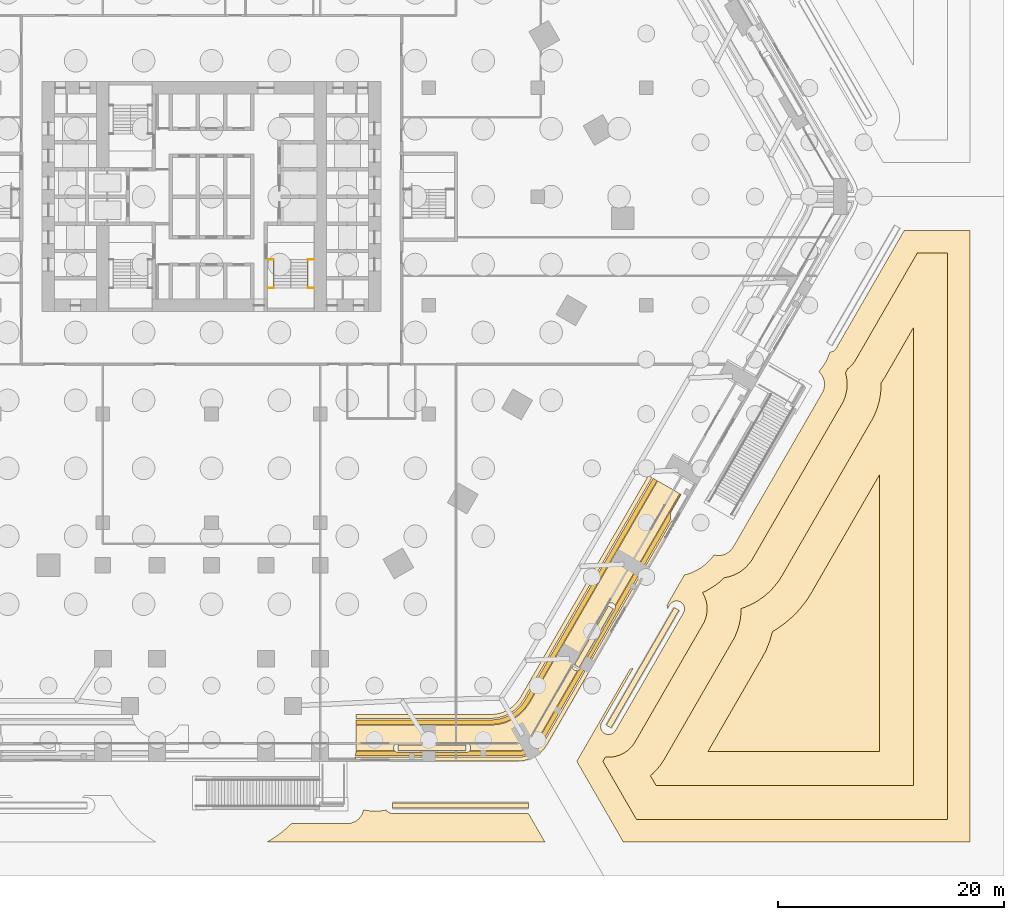
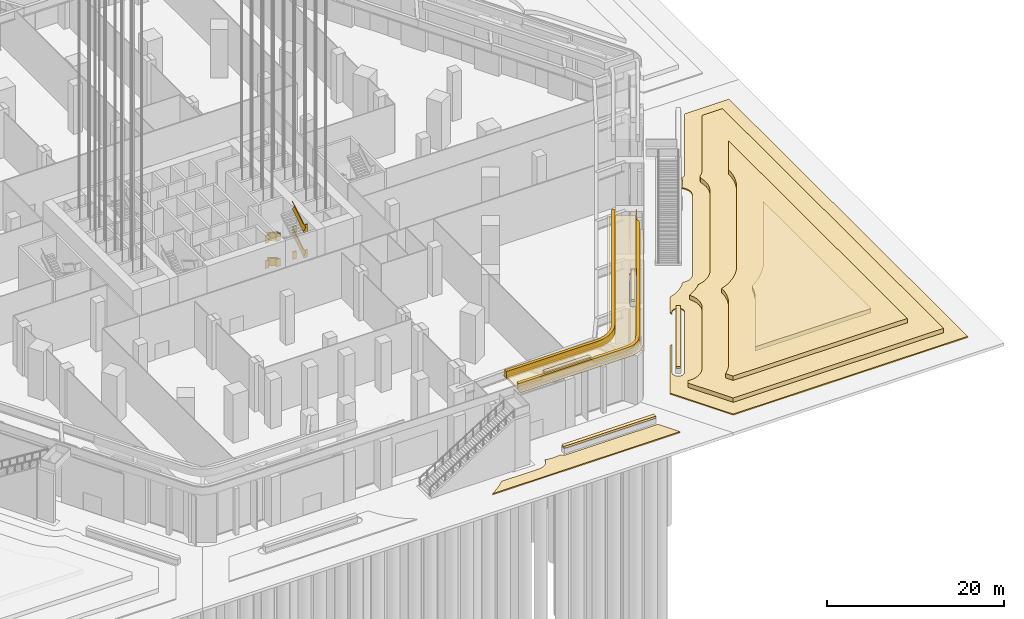
# One storey, part 64 of 68: 14 coverings, 2 railings.
"""IFC4 building model written with IfcOpenShell, lengths in metres."""

from ifc_helpers import new_model, si_unit, direction, frame, frame_2d, origin, origin_2d, place, context, subcontext, project, spatial, polyline, rectangle, outline, extrude, material, layer, layer_set, type_object, element, save


model = new_model("IFC4")

# Units and contexts
model_context = context("Model", 3, precision=1e-05, world=origin(), true_north=direction((0.0, 1.0)))
body_context = subcontext(model_context, "Body", "Model", "MODEL_VIEW")
ifc_project = project(units=[si_unit("LENGTHUNIT", "METRE"), si_unit("AREAUNIT", "SQUARE_METRE"), si_unit("VOLUMEUNIT", "CUBIC_METRE"), si_unit("PLANEANGLEUNIT", "RADIAN"), si_unit("MASSUNIT", "GRAM", prefix="KILO")], contexts=[model_context])

# Site, building, storey
site_placement = place(None, origin())
site = spatial("IfcSite", under=ifc_project, at=site_placement, CompositionType="ELEMENT")
building_placement = place(site_placement, origin())
building = spatial("IfcBuilding", under=site, at=building_placement, Name="Kolab Exchange Tower", CompositionType="ELEMENT")
storey_placement = place(building_placement, origin())
storey = spatial("IfcBuildingStorey", under=building, at=storey_placement, Name="L00", CompositionType="ELEMENT", Elevation=0.0)

# Coverings
ifc_material_1 = material(Name="Planting soil and turf", Category="soil")
ifc_layer_1 = layer(ifc_material_1, 0.60009765625)
ifc_layer_set_1 = layer_set([ifc_layer_1], Name="Planting soil and turf")
covering_type_1 = type_object("IfcCoveringType", Name="GARDEN TERRACE STEP SOIL AND TURF 600", PredefinedType="USERDEFINED", material=ifc_layer_set_1)
covering_1_placement = place(storey_placement, frame((0.0, 0.0, 0.14990234375)))
element("IfcCovering", 1, at=covering_1_placement, inside=storey, type_object=covering_type_1, Name="Garden terrace step", ObjectType="PLANTING", PredefinedType="USERDEFINED", context=body_context, shape_type="SweptSolid", body=[
    extrude(outline(polyline([(34.79736328125, -49.495361328125), (34.989013671875, -49.510986328125), (35.254150390625, -49.5068359375), (35.517822265625, -49.476318359375), (35.77685546875, -49.42041015625), (36.029541015625, -49.33935546875), (36.272705078125, -49.23388671875), (36.504638671875, -49.10498046875), (36.72265625, -48.9541015625), (36.9248046875, -48.782470703125), (37.109375, -48.592041015625), (37.274169921875, -48.38427734375), (37.39111328125, -48.20263671875), (43.4404296875, -37.725341796875), (43.5390625, -37.533203125), (43.636474609375, -37.286376953125), (43.709228515625, -37.031494140625), (43.7568359375, -36.7705078125), (43.778564453125, -36.50634765625), (43.774169921875, -36.240966796875), (43.743896484375, -35.9775390625), (43.687744140625, -35.71826171875), (43.606689453125, -35.4658203125), (43.501220703125, -35.22265625), (43.372314453125, -34.99072265625), (43.3642578125, -34.97900390625), (43.778564453125, -34.782958984375), (44.325927734375, -34.455078125), (44.83837890625, -34.074951171875), (45.296142578125, -33.66015625), (45.354736328125, -33.6533203125), (45.690673828125, -33.580810546875), (46.017822265625, -33.475830078125), (46.333251953125, -33.339111328125), (46.633544921875, -33.172119140625), (46.916259765625, -32.976318359375), (47.17822265625, -32.754150390625), (47.417236328125, -32.507080078125), (47.631103515625, -32.23779296875), (47.79052734375, -31.990234375), (49.01513671875, -29.869384765625), (54.343505859375, -20.640380859375), (54.343505859375, -20.640380859375), (55.69970703125, -18.291259765625), (55.834228515625, -18.029296875), (55.960693359375, -17.709716796875), (56.054931640625, -17.379150390625), (56.116455078125, -17.041015625), (56.14453125, -16.698486328125), (56.138916015625, -16.354736328125), (56.099853515625, -16.013427734375), (56.027099609375, -15.677490234375), (55.994384765625, -15.575439453125), (56.048095703125, -15.486083984375), (56.1787109375, -15.20947265625), (56.22265625, -15.17919921875), (56.4248046875, -15.007568359375), (56.609375, -14.81689453125), (56.774169921875, -14.609130859375), (56.89111328125, -14.427734375), (62.334228515625, -5.0), (65.0, -5.0), (65.0, -55.0), (37.52783203125, -55.0), (34.573486328125, -49.883056640625), (34.79736328125, -49.495361328125)])), origin(), (0.0, 0.0, 1.0), 0.60009765625),
])
covering_2_placement = place(storey_placement, frame((0.0, 0.0, 0.75)))
element("IfcCovering", 2, at=covering_2_placement, inside=storey, type_object=covering_type_1, Name="Garden terrace step", ObjectType="PLANTING", PredefinedType="USERDEFINED", context=body_context, shape_type="SweptSolid", body=[
    extrude(outline(polyline([(38.769775390625, -51.1513671875), (38.97802734375, -50.974853515625), (39.367431640625, -50.572265625), (39.715576171875, -50.1337890625), (39.952392578125, -49.766357421875), (46.0751953125, -39.16162109375), (46.27490234375, -38.772705078125), (46.480712890625, -38.251953125), (46.634521484375, -37.71337890625), (46.734619140625, -37.16259765625), (46.780517578125, -36.6044921875), (46.77685546875, -36.3828125), (47.075927734375, -36.286865234375), (47.66162109375, -36.032958984375), (48.2197265625, -35.72265625), (48.74462890625, -35.359375), (49.2314453125, -34.9462890625), (49.675537109375, -34.487548828125), (50.072509765625, -33.9873046875), (50.351806640625, -33.55419921875), (51.61328125, -31.369384765625), (56.744140625, -22.482421875), (56.744140625, -22.482421875), (58.334716796875, -19.7275390625), (58.5703125, -19.26904296875), (58.804931640625, -18.675048828125), (58.980224609375, -18.061279296875), (59.094482421875, -17.43310546875), (59.146728515625, -16.796630859375), (59.14111328125, -16.452880859375), (59.215576171875, -16.358642578125), (59.452392578125, -15.991455078125), (62.0, -11.578857421875), (62.0, -52.0), (39.259765625, -52.0), (38.769775390625, -51.1513671875)])), origin(), (0.0, 0.0, 1.0), 0.60009765625),
])
covering_3_placement = place(storey_placement, frame((0.0, 0.0, 1.35009765625)))
element("IfcCovering", 3, at=covering_3_placement, inside=storey, type_object=covering_type_1, Name="Garden terrace step", ObjectType="PLANTING", PredefinedType="USERDEFINED", context=body_context, shape_type="SweptSolid", body=[
    extrude(outline(polyline([(43.859130859375, -49.0), (48.710205078125, -40.59765625), (49.0107421875, -40.012451171875), (49.324951171875, -39.217529296875), (49.5546875, -38.4130859375), (49.805908203125, -38.2734375), (50.5732421875, -37.7421875), (51.284912109375, -37.138427734375), (51.933837890625, -36.468017578125), (52.513916015625, -35.73681640625), (52.9130859375, -35.117919921875), (54.21142578125, -32.869384765625), (59.0, -24.5751953125), (59.0, -49.0), (43.859130859375, -49.0)])), origin(), (0.0, 0.0, 1.0), 0.599853515625),
])

# Railings
ifc_material_2 = material(Name="Stainless steel 316", Category="steel")
railing_type = type_object("IfcRailingType", Name="GUARD 1100", PredefinedType="GUARDRAIL", material=ifc_material_2)
railing_1_placement = place(storey_placement, frame((4.949951171875, -5.550048828125, 0.0)))
element("IfcRailing", 4, at=railing_1_placement, inside=storey, type_object=railing_type, Name="Guard ST2", PredefinedType="GUARDRAIL", context=body_context, shape_type="SweptSolid", body=[
    extrude(rectangle(XDim=0.05, YDim=0.05, at=origin_2d()), frame((0.0, 0.0, 1.0751953125), z_axis=(1.0, 0.0, 0.0), x_axis=(0.0, 1.0, 0.0)), (0.0, 0.0, 1.0), 0.5400390625),
    extrude(rectangle(XDim=0.012, YDim=1.05009765625, at=frame_2d((0.0, 0.525146484375))), frame((0.0, 0.0, 0.0), z_axis=(1.0, 0.0, 0.0), x_axis=(0.0, 1.0, 0.0)), (0.0, 0.0, 1.0), 0.5400390625),
    extrude(rectangle(XDim=0.05, YDim=0.05, at=origin_2d()), frame((3.56005859375, 0.0, 1.0751953125), z_axis=(1.0, 0.0, 0.0), x_axis=(0.0, 1.0, 0.0)), (0.0, 0.0, 1.0), 0.5400390625),
    extrude(rectangle(XDim=0.012, YDim=1.05009765625, at=frame_2d((0.0, 0.525146484375))), frame((3.56005859375, 0.0, 0.0), z_axis=(1.0, 0.0, 0.0), x_axis=(0.0, 1.0, 0.0)), (0.0, 0.0, 1.0), 0.5400390625),
    extrude(rectangle(XDim=0.05, YDim=0.05, at=origin_2d()), frame((0.0, -2.52001953125, 2.8251953125), z_axis=(1.0, 0.0, 0.0), x_axis=(0.0, 1.0, 0.0)), (0.0, 0.0, 1.0), 0.5400390625),
    extrude(rectangle(XDim=0.012, YDim=1.05009765625, at=frame_2d((0.0, 0.525146484375))), frame((0.0, -2.52001953125, 1.75), z_axis=(1.0, 0.0, 0.0), x_axis=(0.0, 1.0, 0.0)), (0.0, 0.0, 1.0), 0.5400390625),
    extrude(rectangle(XDim=0.05, YDim=0.05, at=origin_2d()), frame((3.56005859375, -2.52001953125, 2.8251953125), z_axis=(1.0, 0.0, 0.0), x_axis=(0.0, 1.0, 0.0)), (0.0, 0.0, 1.0), 0.5400390625),
    extrude(rectangle(XDim=0.012, YDim=1.05009765625, at=frame_2d((0.0, 0.525146484375))), frame((3.56005859375, -2.52001953125, 1.75), z_axis=(1.0, 0.0, 0.0), x_axis=(0.0, 1.0, 0.0)), (0.0, 0.0, 1.0), 0.5400390625),
    extrude(rectangle(XDim=0.05, YDim=0.05, at=origin_2d()), frame((0.0, 0.0, 4.5751953125), z_axis=(1.0, 0.0, 0.0), x_axis=(0.0, 1.0, 0.0)), (0.0, 0.0, 1.0), 0.5400390625),
    extrude(rectangle(XDim=0.012, YDim=1.05009765625, at=frame_2d((0.0, 0.525146484375))), frame((0.0, 0.0, 3.5), z_axis=(1.0, 0.0, 0.0), x_axis=(0.0, 1.0, 0.0)), (0.0, 0.0, 1.0), 0.5400390625),
    extrude(rectangle(XDim=0.05, YDim=0.05, at=origin_2d()), frame((3.56005859375, 0.0, 4.5751953125), z_axis=(1.0, 0.0, 0.0), x_axis=(0.0, 1.0, 0.0)), (0.0, 0.0, 1.0), 0.5400390625),
    extrude(rectangle(XDim=0.012, YDim=1.05009765625, at=frame_2d((0.0, 0.525146484375))), frame((3.56005859375, 0.0, 3.5), z_axis=(1.0, 0.0, 0.0), x_axis=(0.0, 1.0, 0.0)), (0.0, 0.0, 1.0), 0.5400390625),
    extrude(rectangle(XDim=0.05, YDim=0.05, at=origin_2d()), frame((0.0, -2.52001953125, 6.3251953125), z_axis=(1.0, 0.0, 0.0), x_axis=(0.0, 1.0, 0.0)), (0.0, 0.0, 1.0), 0.5400390625),
    extrude(rectangle(XDim=0.012, YDim=1.05009765625, at=frame_2d((0.0, 0.525146484375))), frame((0.0, -2.52001953125, 5.25), z_axis=(1.0, 0.0, 0.0), x_axis=(0.0, 1.0, 0.0)), (0.0, 0.0, 1.0), 0.5400390625),
    extrude(rectangle(XDim=0.05, YDim=0.05, at=origin_2d()), frame((3.56005859375, -2.52001953125, 6.3251953125), z_axis=(1.0, 0.0, 0.0), x_axis=(0.0, 1.0, 0.0)), (0.0, 0.0, 1.0), 0.5400390625),
    extrude(rectangle(XDim=0.012, YDim=1.05009765625, at=frame_2d((0.0, 0.525146484375))), frame((3.56005859375, -2.52001953125, 5.25), z_axis=(1.0, 0.0, 0.0), x_axis=(0.0, 1.0, 0.0)), (0.0, 0.0, 1.0), 0.5400390625),
])
railing_2_placement = place(storey_placement, frame((5.489990234375, -5.550048828125, 0.175048828125)))
element("IfcRailing", 5, at=railing_2_placement, inside=storey, type_object=railing_type, Name="Handrail guard ST2", PredefinedType="GUARDRAIL", context=body_context, shape_type="SweptSolid", body=[
    extrude(rectangle(XDim=0.05, YDim=0.05, at=origin_2d()), frame((0.0, 0.0, 1.0751953125), z_axis=(0.0, -0.848007534815, 0.529984170421), x_axis=(1.0, 0.0, 0.0)), (0.0, 0.0, 1.0), 2.9716796875),
    extrude(rectangle(XDim=0.012, YDim=1.05009765625, at=frame_2d((0.0, 0.525146484375))), frame((0.0, 0.0, 0.0), z_axis=(0.0, -0.848007534815, 0.529984170421), x_axis=(1.0, 0.0, 0.0)), (0.0, 0.0, 1.0), 2.9716796875),
    extrude(rectangle(XDim=0.05, YDim=0.05, at=origin_2d()), frame((3.02001953125, -2.52001953125, 2.8251953125), z_axis=(0.0, 0.848007534815, 0.529984170421), x_axis=(-1.0, 0.0, 0.0)), (0.0, 0.0, 1.0), 2.9716796875),
    extrude(rectangle(XDim=0.012, YDim=1.05009765625, at=frame_2d((0.0, 0.525146484375))), frame((3.02001953125, -2.52001953125, 1.75), z_axis=(0.0, 0.848007534815, 0.529984170421), x_axis=(-1.0, 0.0, 0.0)), (0.0, 0.0, 1.0), 2.9716796875),
    extrude(rectangle(XDim=0.05, YDim=0.05, at=origin_2d()), frame((0.0, 0.0, 4.5751953125), z_axis=(0.0, -0.848007534815, 0.529984170421), x_axis=(1.0, 0.0, 0.0)), (0.0, 0.0, 1.0), 2.9716796875),
    extrude(rectangle(XDim=0.012, YDim=1.05009765625, at=frame_2d((0.0, 0.525146484375))), frame((0.0, 0.0, 3.5), z_axis=(0.0, -0.848007534815, 0.529984170421), x_axis=(1.0, 0.0, 0.0)), (0.0, 0.0, 1.0), 2.9716796875),
    extrude(rectangle(XDim=0.05, YDim=0.05, at=origin_2d()), frame((3.02001953125, -2.52001953125, 6.3251953125), z_axis=(0.0, 0.848007534815, 0.529984170421), x_axis=(-1.0, 0.0, 0.0)), (0.0, 0.0, 1.0), 2.9716796875),
    extrude(rectangle(XDim=0.012, YDim=1.05009765625, at=frame_2d((0.0, 0.525146484375))), frame((3.02001953125, -2.52001953125, 5.25), z_axis=(0.0, 0.848007534815, 0.529984170421), x_axis=(-1.0, 0.0, 0.0)), (0.0, 0.0, 1.0), 2.9716796875),
])

# Coverings
ifc_layer_2 = layer(ifc_material_1, 0.25)
ifc_layer_set_2 = layer_set([ifc_layer_2], Name="Planting soil and turf")
covering_type_2 = type_object("IfcCoveringType", Name="PLANTING SOIL AND TURF 250", PredefinedType="USERDEFINED", material=ifc_layer_set_2)
covering_4_placement = place(storey_placement, frame((0.0, 0.0, 7.0)))
element("IfcCovering", 6, at=covering_4_placement, inside=storey, type_object=covering_type_2, Name="Planting soil and turf", ObjectType="PLANTING", PredefinedType="USERDEFINED", context=body_context, shape_type="SweptSolid", body=[
    extrude(outline(polyline([(24.70947265625, -46.676025390625), (25.3544921875, -46.61962890625), (26.020263671875, -46.44140625), (26.644775390625, -46.150146484375), (27.209228515625, -45.7548828125), (27.696533203125, -45.267578125), (28.068115234375, -44.737060546875), (39.40283203125, -25.104736328125), (41.357177734375, -26.233154296875), (35.64208984375, -36.132080078125), (35.62841796875, -36.100341796875), (35.609375, -36.06591796875), (35.587158203125, -36.03369140625), (35.561767578125, -36.003662109375), (35.533447265625, -35.9765625), (35.502685546875, -35.9521484375), (35.4697265625, -35.930908203125), (35.434814453125, -35.912841796875), (35.398193359375, -35.8984375), (35.360595703125, -35.8876953125), (35.322021484375, -35.880615234375), (35.28271484375, -35.87744140625), (35.24365234375, -35.878173828125), (35.20458984375, -35.882568359375), (35.166259765625, -35.890869140625), (35.12890625, -35.90283203125), (35.0927734375, -35.91845703125), (35.05859375, -35.9375), (35.026123046875, -35.9599609375), (34.996337890625, -35.9853515625), (34.968994140625, -36.013427734375), (34.944580078125, -36.044189453125), (34.92333984375, -36.0771484375), (31.92333984375, -41.2734375), (31.9052734375, -41.308349609375), (31.890869140625, -41.3447265625), (31.880126953125, -41.382568359375), (31.873046875, -41.421142578125), (31.869873046875, -41.460205078125), (31.87060546875, -41.49951171875), (31.875, -41.53857421875), (31.88330078125, -41.576904296875), (31.895263671875, -41.6142578125), (31.910888671875, -41.650390625), (31.929931640625, -41.6845703125), (31.952392578125, -41.716796875), (31.977783203125, -41.746826171875), (32.005859375, -41.774169921875), (32.03662109375, -41.798583984375), (32.06982421875, -41.81982421875), (32.104736328125, -41.837646484375), (32.14111328125, -41.85205078125), (32.178955078125, -41.86279296875), (32.217529296875, -41.869873046875), (32.256591796875, -41.873046875), (32.2958984375, -41.87255859375), (32.330322265625, -41.86865234375), (28.864013671875, -47.8720703125), (28.635498046875, -48.198486328125), (28.38330078125, -48.45068359375), (28.091064453125, -48.6552734375), (27.767822265625, -48.805908203125), (27.42333984375, -48.8984375), (27.0263671875, -48.93310546875), (22.801025390625, -48.93310546875), (22.821533203125, -48.9052734375), (22.841796875, -48.87158203125), (22.8583984375, -48.836181640625), (22.87158203125, -48.799072265625), (22.88134765625, -48.760986328125), (22.886962890625, -48.72216796875), (22.888916015625, -48.68310546875), (22.886962890625, -48.643798828125), (22.88134765625, -48.60498046875), (22.87158203125, -48.56689453125), (22.8583984375, -48.530029296875), (22.841796875, -48.494384765625), (22.821533203125, -48.4609375), (22.798095703125, -48.42919921875), (22.771728515625, -48.400146484375), (22.74267578125, -48.373779296875), (22.711181640625, -48.3505859375), (22.677490234375, -48.330322265625), (22.64208984375, -48.3134765625), (22.60498046875, -48.30029296875), (22.56689453125, -48.290771484375), (22.528076171875, -48.284912109375), (22.489013671875, -48.282958984375), (16.489013671875, -48.282958984375), (16.44970703125, -48.284912109375), (16.410888671875, -48.290771484375), (16.372802734375, -48.30029296875), (16.3359375, -48.3134765625), (16.30029296875, -48.330322265625), (16.2666015625, -48.3505859375), (16.235107421875, -48.373779296875), (16.2060546875, -48.400146484375), (16.1796875, -48.42919921875), (16.15625, -48.4609375), (16.13623046875, -48.494384765625), (16.119384765625, -48.530029296875), (16.106201171875, -48.56689453125), (16.0966796875, -48.60498046875), (16.0908203125, -48.643798828125), (16.0888671875, -48.68310546875), (16.0908203125, -48.72216796875), (16.0966796875, -48.760986328125), (16.106201171875, -48.799072265625), (16.119384765625, -48.836181640625), (16.13623046875, -48.87158203125), (16.15625, -48.9052734375), (16.177001953125, -48.93310546875), (12.760009765625, -48.93310546875), (12.760009765625, -46.676025390625), (24.70947265625, -46.676025390625)])), origin(), (0.0, 0.0, 1.0), 0.25),
])
covering_5_placement = place(storey_placement, frame((0.0, 0.0, 7.699951171875)))
element("IfcCovering", 7, at=covering_5_placement, inside=storey, type_object=covering_type_2, Name="Planting soil and turf", ObjectType="PLANTING", PredefinedType="USERDEFINED", context=body_context, shape_type="SweptSolid", body=[
    extrude(outline(polyline([(32.4775390625, -41.59326171875), (32.061767578125, -41.353271484375), (35.061767578125, -36.1572265625), (35.4775390625, -36.397216796875), (32.4775390625, -41.59326171875)])), origin(), (0.0, 0.0, 1.0), 0.300048828125),
])
covering_6_placement = place(storey_placement, frame((0.0, 0.0, 7.699951171875)))
element("IfcCovering", 8, at=covering_6_placement, inside=storey, type_object=covering_type_2, Name="Planting soil and turf", ObjectType="PLANTING", PredefinedType="USERDEFINED", context=body_context, shape_type="SweptSolid", body=[
    extrude(outline(polyline([(16.489013671875, -48.922607421875), (16.489013671875, -48.442626953125), (22.489013671875, -48.442626953125), (22.489013671875, -48.922607421875), (16.489013671875, -48.922607421875)])), origin(), (0.0, 0.0, 1.0), 0.300048828125),
])
covering_7_placement = place(storey_placement, frame((0.0, 0.0, 0.699951171875)))
element("IfcCovering", 9, at=covering_7_placement, inside=storey, type_object=covering_type_2, Name="Planting soil and turf", ObjectType="PLANTING", PredefinedType="USERDEFINED", context=body_context, shape_type="SweptSolid", body=[
    extrude(outline(polyline([(35.285400390625, -46.93017578125), (34.86962890625, -46.690185546875), (40.86962890625, -36.2978515625), (41.285400390625, -36.537841796875), (35.285400390625, -46.93017578125)])), origin(), (0.0, 0.0, 1.0), 0.300048828125),
])
covering_8_placement = place(storey_placement, frame((0.0, 0.0, 0.699951171875)))
element("IfcCovering", 10, at=covering_8_placement, inside=storey, type_object=covering_type_2, Name="Planting soil and turf", ObjectType="PLANTING", PredefinedType="USERDEFINED", context=body_context, shape_type="SweptSolid", body=[
    extrude(outline(polyline([(16.0, -54.02294921875), (16.0, -53.54296875), (28.0, -53.54296875), (28.0, -54.02294921875), (16.0, -54.02294921875)])), origin(), (0.0, 0.0, 1.0), 0.300048828125),
])
covering_9_placement = place(storey_placement, origin())
element("IfcCovering", 11, at=covering_9_placement, inside=storey, type_object=covering_type_2, Name="Planting soil and turf", ObjectType="PLANTING", PredefinedType="USERDEFINED", context=body_context, shape_type="SweptSolid", body=[
    extrude(outline(polyline([(29.44482421875, -57.0), (4.91796875, -57.0), (5.5556640625, -56.61767578125), (6.343994140625, -56.033203125), (7.061279296875, -55.383056640625), (9.554931640625, -55.383056640625), (9.56005859375, -55.383056640625), (11.9599609375, -55.383056640625), (12.10693359375, -55.375732421875), (12.252685546875, -55.354248046875), (12.3955078125, -55.318359375), (12.533935546875, -55.268798828125), (12.6669921875, -55.2060546875), (12.79345703125, -55.13037109375), (12.91162109375, -55.04248046875), (13.020751953125, -54.943603515625), (13.11962890625, -54.834716796875), (13.207275390625, -54.71630859375), (13.282958984375, -54.590087890625), (13.345703125, -54.45703125), (13.3955078125, -54.318603515625), (13.43115234375, -54.17578125), (13.43408203125, -54.15576171875), (13.59716796875, -54.196533203125), (14.033935546875, -54.261474609375), (14.47509765625, -54.282958984375), (14.916015625, -54.261474609375), (15.35302734375, -54.196533203125), (15.423095703125, -54.178955078125), (15.458984375, -54.22705078125), (15.505126953125, -54.278076171875), (15.555908203125, -54.32421875), (15.611083984375, -54.364990234375), (15.669921875, -54.400390625), (15.732177734375, -54.4296875), (15.796875, -54.452880859375), (15.863525390625, -54.4697265625), (15.931396484375, -54.479736328125), (16.0, -54.483154296875), (27.99169921875, -54.483154296875), (29.44482421875, -57.0)])), origin(), (0.0, 0.0, 1.0), 0.14990234375),
])
covering_10_placement = place(storey_placement, origin())
element("IfcCovering", 12, at=covering_10_placement, inside=storey, type_object=covering_type_2, Name="Planting soil and turf", ObjectType="PLANTING", PredefinedType="USERDEFINED", context=body_context, shape_type="SweptSolid", body=[
    extrude(outline(polyline([(36.970703125, -41.73095703125), (37.2197265625, -41.66845703125), (37.242431640625, -41.660400390625), (34.47119140625, -46.460205078125), (34.43994140625, -46.521240234375), (34.41455078125, -46.585205078125), (34.395751953125, -46.651123046875), (34.383544921875, -46.71875), (34.3779296875, -46.787109375), (34.37890625, -46.85595703125), (34.386962890625, -46.924072265625), (34.4013671875, -46.9912109375), (34.42236328125, -47.056640625), (34.44970703125, -47.11962890625), (34.483154296875, -47.1796875), (34.522216796875, -47.236328125), (34.566650390625, -47.28857421875), (34.615966796875, -47.33642578125), (34.669677734375, -47.379150390625), (34.7275390625, -47.416259765625), (34.78857421875, -47.44775390625), (34.8525390625, -47.472900390625), (34.91845703125, -47.491943359375), (34.986083984375, -47.504150390625), (35.0546875, -47.509765625), (35.123291015625, -47.508544921875), (35.19140625, -47.500732421875), (35.2587890625, -47.486328125), (35.323974609375, -47.46533203125), (35.38720703125, -47.43798828125), (35.447265625, -47.404541015625), (35.503662109375, -47.365478515625), (35.555908203125, -47.321044921875), (35.603759765625, -47.271728515625), (35.646484375, -47.2177734375), (35.683837890625, -47.16015625), (41.683837890625, -36.767822265625), (41.715087890625, -36.706787109375), (41.740234375, -36.642822265625), (41.75927734375, -36.57666015625), (41.771484375, -36.50927734375), (41.777099609375, -36.440673828125), (41.77587890625, -36.3720703125), (41.76806640625, -36.3037109375), (41.753662109375, -36.236572265625), (41.732666015625, -36.171142578125), (41.705322265625, -36.108154296875), (41.671875, -36.048095703125), (41.6328125, -35.99169921875), (41.58837890625, -35.939208984375), (41.5390625, -35.8916015625), (41.4853515625, -35.848876953125), (41.427490234375, -35.8115234375), (41.366455078125, -35.7802734375), (41.302490234375, -35.7548828125), (41.236572265625, -35.736083984375), (41.1689453125, -35.723876953125), (41.100341796875, -35.71826171875), (41.03173828125, -35.71923828125), (40.96337890625, -35.72705078125), (40.896240234375, -35.74169921875), (40.830810546875, -35.7626953125), (40.767822265625, -35.7900390625), (40.707763671875, -35.823486328125), (40.6513671875, -35.862548828125), (40.598876953125, -35.906982421875), (40.55126953125, -35.956298828125), (40.508544921875, -36.010009765625), (40.47119140625, -36.06787109375), (40.2978515625, -36.3681640625), (40.22802734375, -36.08935546875), (41.770751953125, -33.4169921875), (42.019775390625, -33.354736328125), (42.435546875, -33.205810546875), (42.834716796875, -33.01708984375), (43.21337890625, -32.7900390625), (43.568115234375, -32.527099609375), (43.895263671875, -32.23046875), (44.19189453125, -31.9033203125), (44.3857421875, -31.64208984375), (44.443603515625, -31.65869140625), (44.58837890625, -31.68505859375), (44.735107421875, -31.697021484375), (44.88232421875, -31.694580078125), (45.028564453125, -31.677734375), (45.17236328125, -31.646728515625), (45.3125, -31.6015625), (45.447509765625, -31.543212890625), (45.576171875, -31.4716796875), (45.697265625, -31.3876953125), (45.8095703125, -31.29248046875), (45.911865234375, -31.186767578125), (46.00341796875, -31.071533203125), (46.083251953125, -30.94775390625), (47.283203125, -28.869384765625), (52.7431640625, -19.412353515625), (52.7431640625, -19.412353515625), (53.943115234375, -17.333984375), (54.010498046875, -17.202880859375), (54.064453125, -17.06591796875), (54.10498046875, -16.924560546875), (54.13134765625, -16.779541015625), (54.143310546875, -16.633056640625), (54.140869140625, -16.48583984375), (54.1240234375, -16.339599609375), (54.093017578125, -16.195556640625), (54.0478515625, -16.055419921875), (53.989501953125, -15.92041015625), (53.91796875, -15.791748046875), (53.834228515625, -15.670654296875), (53.739013671875, -15.55859375), (53.633056640625, -15.4560546875), (53.63037109375, -15.453857421875), (53.7919921875, -15.275634765625), (54.054931640625, -14.9208984375), (54.281982421875, -14.5419921875), (54.470947265625, -14.142822265625), (54.6171875, -13.733642578125), (54.623291015625, -13.733642578125), (54.69140625, -13.725830078125), (54.7587890625, -13.711181640625), (54.823974609375, -13.690185546875), (54.88720703125, -13.662841796875), (54.947265625, -13.629638671875), (55.003662109375, -13.590576171875), (55.055908203125, -13.546142578125), (55.103759765625, -13.49658203125), (55.146484375, -13.44287109375), (55.183837890625, -13.385009765625), (61.1796875, -3.0), (67.0, -3.0), (67.0, -57.0), (36.373046875, -57.0), (32.26416015625, -49.883056640625), (36.970703125, -41.73095703125)])), origin(), (0.0, 0.0, 1.0), 0.14990234375),
])
ifc_material_3 = material(Name="Limestone coping", Category="masonry")
ifc_layer_3 = layer(ifc_material_3, 0.050048828125)
ifc_layer_set_3 = layer_set([ifc_layer_3], Name="Limestone coping")
covering_type_3 = type_object("IfcCoveringType", Name="TERRACE EDGE BAND LIMESTONE 50", PredefinedType="CLADDING", material=ifc_layer_set_3)
covering_11_placement = place(storey_placement, frame((0.0, 0.0, 7.0)))
element("IfcCovering", 13, at=covering_11_placement, inside=storey, type_object=covering_type_3, Name="Terrace edge band", PredefinedType="CLADDING", context=body_context, shape_type="SweptSolid", body=[
    extrude(outline(polyline([(24.668701171875, -45.74609375), (25.1923828125, -45.700439453125), (25.700927734375, -45.56396484375), (26.177978515625, -45.341552734375), (26.609130859375, -45.03955078125), (26.9814453125, -44.66748046875), (27.282958984375, -44.23681640625), (38.597412109375, -24.6396484375), (38.900390625, -24.814697265625), (27.578369140625, -44.425048828125), (27.25048828125, -44.893310546875), (26.8349609375, -45.308837890625), (26.353759765625, -45.645751953125), (25.821044921875, -45.894287109375), (25.25341796875, -46.04638671875), (24.68408203125, -46.09619140625), (12.760009765625, -46.09619140625), (12.760009765625, -45.74609375), (24.668701171875, -45.74609375)])), origin(), (0.0, 0.0, 1.0), 0.050048828125),
])
covering_12_placement = place(storey_placement, frame((0.0, 0.0, 7.0)))
element("IfcCovering", 14, at=covering_12_placement, inside=storey, type_object=covering_type_3, Name="Terrace edge band", PredefinedType="CLADDING", context=body_context, shape_type="SweptSolid", body=[
    extrude(outline(polyline([(28.9833984375, -49.165771484375), (28.557861328125, -49.4638671875), (28.087158203125, -49.683349609375), (27.58544921875, -49.817626953125), (27.067138671875, -49.863037109375), (12.759033203125, -49.863037109375), (12.756103515625, -49.8046875), (12.74462890625, -49.72705078125), (12.7255859375, -49.65087890625), (12.69921875, -49.576904296875), (12.6689453125, -49.51318359375), (27.0517578125, -49.51318359375), (27.5244140625, -49.4716796875), (27.967041015625, -49.35302734375), (28.38232421875, -49.159423828125), (28.757568359375, -48.896728515625), (29.08154296875, -48.57275390625), (29.353759765625, -48.18408203125), (40.64501953125, -28.626708984375), (40.685302734375, -28.684814453125), (40.736083984375, -28.74462890625), (40.79248046875, -28.79931640625), (40.85400390625, -28.84814453125), (40.903076171875, -28.879638671875), (29.649169921875, -48.372314453125), (29.3505859375, -48.798583984375), (28.9833984375, -49.165771484375)])), origin(), (0.0, 0.0, 1.0), 0.050048828125),
])
ifc_material_4 = material(Name="Terrace hedge planting", Category="soil")
ifc_layer_4 = layer(ifc_material_4, 1.0)
ifc_layer_set_4 = layer_set([ifc_layer_4], Name="Terrace hedge planting")
covering_type_4 = type_object("IfcCoveringType", Name="TERRACE HEDGE 1000 X 400", PredefinedType="USERDEFINED", material=ifc_layer_set_4)
covering_13_placement = place(storey_placement, frame((0.0, 0.0, 7.0)))
element("IfcCovering", 15, at=covering_13_placement, inside=storey, type_object=covering_type_4, Name="Terrace hedge", ObjectType="PLANTING", PredefinedType="USERDEFINED", context=body_context, shape_type="SweptSolid", body=[
    extrude(outline(polyline([(24.689697265625, -46.22607421875), (25.276123046875, -46.1748046875), (25.86572265625, -46.016845703125), (26.4189453125, -45.7587890625), (26.9189453125, -45.40869140625), (27.3505859375, -44.97705078125), (27.688232421875, -44.4951171875), (39.012939453125, -24.8798828125), (39.359375, -25.079833984375), (28.02587890625, -44.710205078125), (27.658203125, -45.235107421875), (27.177001953125, -45.71630859375), (26.61962890625, -46.106689453125), (26.0029296875, -46.394287109375), (25.345703125, -46.5703125), (24.707275390625, -46.626220703125), (12.760009765625, -46.626220703125), (12.760009765625, -46.22607421875), (24.689697265625, -46.22607421875)])), origin(), (0.0, 0.0, 1.0), 1.0),
])
covering_14_placement = place(storey_placement, frame((0.0, 0.0, 7.0)))
element("IfcCovering", 16, at=covering_14_placement, inside=storey, type_object=covering_type_4, Name="Terrace hedge", ObjectType="PLANTING", PredefinedType="USERDEFINED", context=body_context, shape_type="SweptSolid", body=[
    extrude(outline(polyline([(29.243896484375, -48.1142578125), (28.981689453125, -48.48876953125), (28.673583984375, -48.796630859375), (28.31689453125, -49.04638671875), (27.92236328125, -49.23046875), (27.501708984375, -49.34326171875), (27.046142578125, -49.383056640625), (12.675048828125, -49.383056640625), (12.69921875, -49.332275390625), (12.7255859375, -49.25830078125), (12.74462890625, -49.18212890625), (12.756103515625, -49.1044921875), (12.760009765625, -49.026123046875), (12.760009765625, -48.983154296875), (16.22509765625, -48.983154296875), (16.235107421875, -48.9921875), (16.2666015625, -49.015625), (16.30029296875, -49.035888671875), (16.3359375, -49.052734375), (16.372802734375, -49.06591796875), (16.410888671875, -49.075439453125), (16.44970703125, -49.0810546875), (16.489013671875, -49.0830078125), (22.489013671875, -49.0830078125), (22.528076171875, -49.0810546875), (22.56689453125, -49.075439453125), (22.60498046875, -49.06591796875), (22.64208984375, -49.052734375), (22.677490234375, -49.035888671875), (22.711181640625, -49.015625), (22.74267578125, -48.9921875), (22.7529296875, -48.983154296875), (27.028564453125, -48.983154296875), (27.43212890625, -48.94775390625), (27.784912109375, -48.853271484375), (28.1162109375, -48.69873046875), (28.41552734375, -48.489013671875), (28.674072265625, -48.230712890625), (28.90625, -47.89892578125), (32.3974609375, -41.851806640625), (32.41064453125, -41.84765625), (32.446533203125, -41.83203125), (32.48095703125, -41.81298828125), (32.51318359375, -41.790771484375), (32.543212890625, -41.765380859375), (32.570556640625, -41.737060546875), (32.5947265625, -41.706298828125), (32.6162109375, -41.67333984375), (35.6162109375, -36.477294921875), (35.634033203125, -36.4423828125), (35.6484375, -36.40576171875), (35.6591796875, -36.367919921875), (35.666259765625, -36.329345703125), (35.66943359375, -36.290283203125), (35.6689453125, -36.2509765625), (35.664306640625, -36.212158203125), (35.661376953125, -36.19873046875), (41.400634765625, -26.25830078125), (41.43798828125, -26.27978515625), (41.488525390625, -26.305908203125), (40.627197265625, -27.7978515625), (40.59130859375, -27.86767578125), (40.5625, -27.940673828125), (40.541015625, -28.01611328125), (40.52685546875, -28.09326171875), (40.5205078125, -28.171630859375), (40.521728515625, -28.25), (40.53076171875, -28.328125), (40.54736328125, -28.40478515625), (40.5712890625, -28.4794921875), (40.574951171875, -28.48828125), (29.243896484375, -48.1142578125)])), origin(), (0.0, 0.0, 1.0), 1.0),
])

save(model, "model.ifc")
